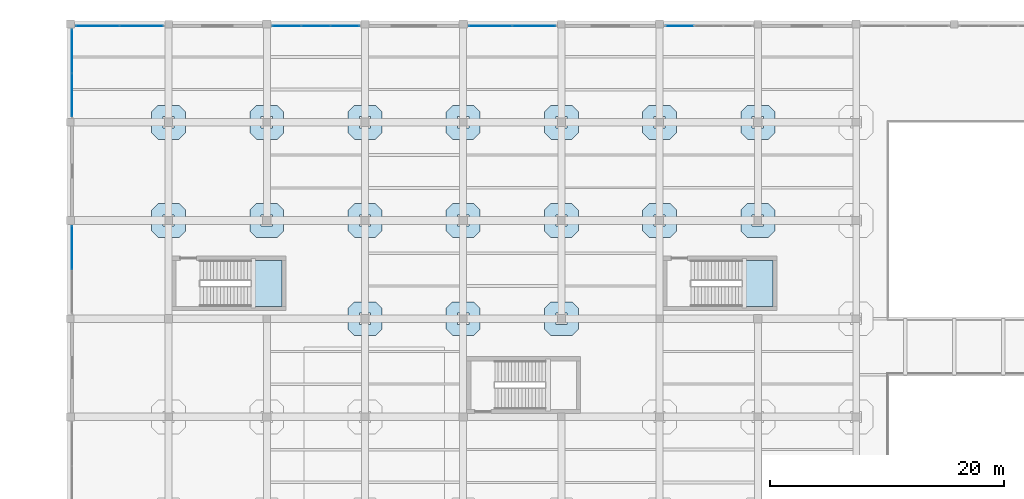
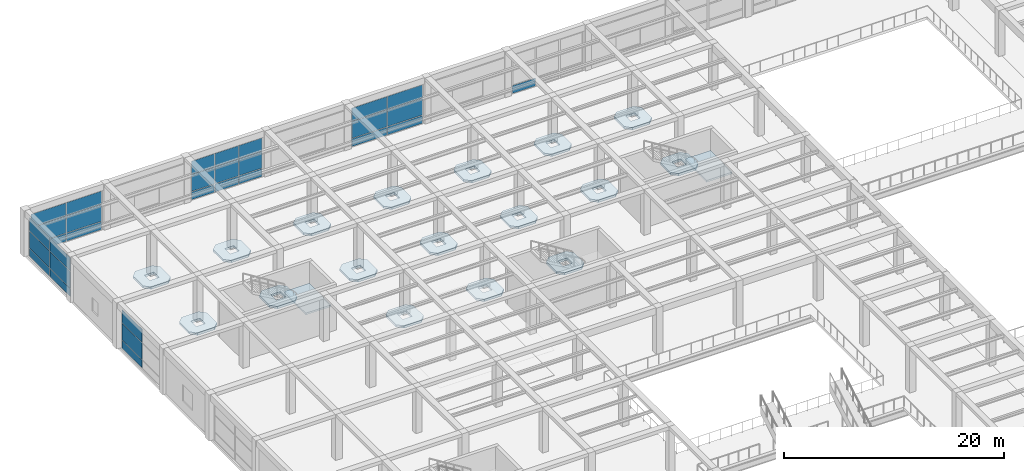
# One storey, part 72 of 95: 31 plates, 19 slabs, 8 elements without a shape of their own.
"""IFC4 building model written with IfcOpenShell, lengths in metres."""

from ifc_helpers import new_model, si_unit, direction, frame, origin, origin_2d, place, context, subcontext, project, spatial, polyline, rectangle, outline, extrude, material, layer, layer_set, type_object, element, aggregate, save


model = new_model("IFC4")

# Units and contexts
model_context = context("Model", 3, precision=1e-05, world=origin(), true_north=direction((0.0, 1.0)))
body_context = subcontext(model_context, "Body", "Model", "MODEL_VIEW")
ifc_project = project(units=[si_unit("LENGTHUNIT", "METRE"), si_unit("AREAUNIT", "SQUARE_METRE"), si_unit("VOLUMEUNIT", "CUBIC_METRE"), si_unit("PLANEANGLEUNIT", "RADIAN"), si_unit("MASSUNIT", "GRAM", prefix="KILO")], contexts=[model_context])

# Site, building, storey
site_placement = place(None, origin())
site = spatial("IfcSite", under=ifc_project, at=site_placement, CompositionType="ELEMENT")
building_placement = place(site_placement, origin())
building = spatial("IfcBuilding", under=site, at=building_placement, Name="Almacenes y Pasaje Nevantli", CompositionType="ELEMENT")
storey_placement = place(building_placement, frame((0.0, 0.0, 11.39990234375)))
storey = spatial("IfcBuildingStorey", under=building, at=storey_placement, Name="L03", CompositionType="ELEMENT", Elevation=11.39990234375)

# Curtain wall, plates
ifc_material_1 = material(Name="Thermally Broken Aluminium and Low-E Glass", Category="aluminium")
curtain_wall_type_1 = type_object("IfcCurtainWallType", Name="CW-STF-BLVD", PredefinedType="USERDEFINED", material=ifc_material_1)
curtain_wall_1_placement = place(storey_placement, origin())
curtain_wall_1 = element("IfcCurtainWall", 1, at=curtain_wall_1_placement, inside=storey, type_object=curtain_wall_type_1, Name="L03 North Boulevard Retail Curtain Wall Bay 1", ObjectType="STOREFRONT GLAZING", PredefinedType="USERDEFINED")
ifc_material_2 = material(Name="Low-E Double Glazed Insulated Unit", Category="glass")
ifc_layer_1 = layer(ifc_material_2, 0.031982421875)
ifc_layer_set_1 = layer_set([ifc_layer_1], Name="Low-E Double Glazed Insulated Unit")
plate_type = type_object("IfcPlateType", Name="PL-IGU-32", PredefinedType="CURTAIN_PANEL", material=ifc_layer_set_1)
plate_1_placement = place(storey_placement, frame((2.340087890625, 117.449951171875, 0.06005859375), z_axis=(0.0, 0.0, 1.0), x_axis=(1.0, 0.0, 0.0)))
plate_1 = element("IfcPlate", 2, at=plate_1_placement, type_object=plate_type, Name="CW-L03-034 panel 1.1", PredefinedType="CURTAIN_PANEL", context=body_context, shape_type="SweptSolid", body=[
    extrude(rectangle(XDim=3.659912109375, YDim=0.031982421875, at=origin_2d()), origin(), (0.0, 0.0, 1.0), 0.860107421875),
])
plate_2_placement = place(storey_placement, frame((2.340087890625, 117.449951171875, 0.97998046875), z_axis=(0.0, 0.0, 1.0), x_axis=(1.0, 0.0, 0.0)))
plate_2 = element("IfcPlate", 3, at=plate_2_placement, type_object=plate_type, Name="CW-L03-034 panel 1.2", PredefinedType="CURTAIN_PANEL", context=body_context, shape_type="SweptSolid", body=[
    extrude(rectangle(XDim=3.659912109375, YDim=0.031982421875, at=origin_2d()), origin(), (0.0, 0.0, 1.0), 1.840087890625),
])
plate_3_placement = place(storey_placement, frame((2.340087890625, 117.449951171875, 2.880126953125), z_axis=(0.0, 0.0, 1.0), x_axis=(1.0, 0.0, 0.0)))
plate_3 = element("IfcPlate", 4, at=plate_3_placement, type_object=plate_type, Name="CW-L03-034 panel 1.3", PredefinedType="CURTAIN_PANEL", context=body_context, shape_type="SweptSolid", body=[
    extrude(rectangle(XDim=3.659912109375, YDim=0.031982421875, at=origin_2d()), origin(), (0.0, 0.0, 1.0), 1.43994140625),
])
plate_4_placement = place(storey_placement, frame((6.06005859375, 117.449951171875, 0.06005859375), z_axis=(0.0, 0.0, 1.0), x_axis=(1.0, 0.0, 0.0)))
plate_4 = element("IfcPlate", 5, at=plate_4_placement, type_object=plate_type, Name="CW-L03-034 panel 2.1", PredefinedType="CURTAIN_PANEL", context=body_context, shape_type="SweptSolid", body=[
    extrude(rectangle(XDim=3.659912109375, YDim=0.031982421875, at=origin_2d()), origin(), (0.0, 0.0, 1.0), 0.860107421875),
])
plate_5_placement = place(storey_placement, frame((6.06005859375, 117.449951171875, 0.97998046875), z_axis=(0.0, 0.0, 1.0), x_axis=(1.0, 0.0, 0.0)))
plate_5 = element("IfcPlate", 6, at=plate_5_placement, type_object=plate_type, Name="CW-L03-034 panel 2.2", PredefinedType="CURTAIN_PANEL", context=body_context, shape_type="SweptSolid", body=[
    extrude(rectangle(XDim=3.659912109375, YDim=0.031982421875, at=origin_2d()), origin(), (0.0, 0.0, 1.0), 1.840087890625),
])
plate_6_placement = place(storey_placement, frame((6.06005859375, 117.449951171875, 2.880126953125), z_axis=(0.0, 0.0, 1.0), x_axis=(1.0, 0.0, 0.0)))
plate_6 = element("IfcPlate", 7, at=plate_6_placement, type_object=plate_type, Name="CW-L03-034 panel 2.3", PredefinedType="CURTAIN_PANEL", context=body_context, shape_type="SweptSolid", body=[
    extrude(rectangle(XDim=3.659912109375, YDim=0.031982421875, at=origin_2d()), origin(), (0.0, 0.0, 1.0), 1.43994140625),
])
aggregate(curtain_wall_1, [plate_1, plate_2, plate_3, plate_4, plate_5, plate_6])

curtain_wall_2_placement = place(storey_placement, origin())
curtain_wall_2 = element("IfcCurtainWall", 8, at=curtain_wall_2_placement, inside=storey, type_object=curtain_wall_type_1, Name="L03 North Boulevard Retail Curtain Wall Bay 3", ObjectType="STOREFRONT GLAZING", PredefinedType="USERDEFINED")
plate_7_placement = place(storey_placement, frame((18.514892578125, 117.449951171875, 0.06005859375), z_axis=(0.0, 0.0, 1.0), x_axis=(1.0, 0.0, 0.0)))
plate_7 = element("IfcPlate", 9, at=plate_7_placement, type_object=plate_type, Name="CW-L03-035 panel 1.1", PredefinedType="CURTAIN_PANEL", context=body_context, shape_type="SweptSolid", body=[
    extrude(rectangle(XDim=2.409912109375, YDim=0.031982421875, at=origin_2d()), origin(), (0.0, 0.0, 1.0), 0.860107421875),
])
plate_8_placement = place(storey_placement, frame((18.514892578125, 117.449951171875, 0.97998046875), z_axis=(0.0, 0.0, 1.0), x_axis=(1.0, 0.0, 0.0)))
plate_8 = element("IfcPlate", 10, at=plate_8_placement, type_object=plate_type, Name="CW-L03-035 panel 1.2", PredefinedType="CURTAIN_PANEL", context=body_context, shape_type="SweptSolid", body=[
    extrude(rectangle(XDim=2.409912109375, YDim=0.031982421875, at=origin_2d()), origin(), (0.0, 0.0, 1.0), 1.840087890625),
])
plate_9_placement = place(storey_placement, frame((18.514892578125, 117.449951171875, 2.880126953125), z_axis=(0.0, 0.0, 1.0), x_axis=(1.0, 0.0, 0.0)))
plate_9 = element("IfcPlate", 11, at=plate_9_placement, type_object=plate_type, Name="CW-L03-035 panel 1.3", PredefinedType="CURTAIN_PANEL", context=body_context, shape_type="SweptSolid", body=[
    extrude(rectangle(XDim=2.409912109375, YDim=0.031982421875, at=origin_2d()), origin(), (0.0, 0.0, 1.0), 1.43994140625),
])
plate_10_placement = place(storey_placement, frame((21.0, 117.449951171875, 0.06005859375), z_axis=(0.0, 0.0, 1.0), x_axis=(1.0, 0.0, 0.0)))
plate_10 = element("IfcPlate", 12, at=plate_10_placement, type_object=plate_type, Name="CW-L03-035 panel 2.1", PredefinedType="CURTAIN_PANEL", context=body_context, shape_type="SweptSolid", body=[
    extrude(rectangle(XDim=2.43994140625, YDim=0.031982421875, at=origin_2d()), origin(), (0.0, 0.0, 1.0), 0.860107421875),
])
plate_11_placement = place(storey_placement, frame((21.0, 117.449951171875, 0.97998046875), z_axis=(0.0, 0.0, 1.0), x_axis=(1.0, 0.0, 0.0)))
plate_11 = element("IfcPlate", 13, at=plate_11_placement, type_object=plate_type, Name="CW-L03-035 panel 2.2", PredefinedType="CURTAIN_PANEL", context=body_context, shape_type="SweptSolid", body=[
    extrude(rectangle(XDim=2.43994140625, YDim=0.031982421875, at=origin_2d()), origin(), (0.0, 0.0, 1.0), 1.840087890625),
])
plate_12_placement = place(storey_placement, frame((21.0, 117.449951171875, 2.880126953125), z_axis=(0.0, 0.0, 1.0), x_axis=(1.0, 0.0, 0.0)))
plate_12 = element("IfcPlate", 14, at=plate_12_placement, type_object=plate_type, Name="CW-L03-035 panel 2.3", PredefinedType="CURTAIN_PANEL", context=body_context, shape_type="SweptSolid", body=[
    extrude(rectangle(XDim=2.43994140625, YDim=0.031982421875, at=origin_2d()), origin(), (0.0, 0.0, 1.0), 1.43994140625),
])
plate_13_placement = place(storey_placement, frame((23.485107421875, 117.449951171875, 0.06005859375), z_axis=(0.0, 0.0, 1.0), x_axis=(1.0, 0.0, 0.0)))
plate_13 = element("IfcPlate", 15, at=plate_13_placement, type_object=plate_type, Name="CW-L03-035 panel 3.1", PredefinedType="CURTAIN_PANEL", context=body_context, shape_type="SweptSolid", body=[
    extrude(rectangle(XDim=2.409912109375, YDim=0.031982421875, at=origin_2d()), origin(), (0.0, 0.0, 1.0), 0.860107421875),
])
plate_14_placement = place(storey_placement, frame((23.485107421875, 117.449951171875, 0.97998046875), z_axis=(0.0, 0.0, 1.0), x_axis=(1.0, 0.0, 0.0)))
plate_14 = element("IfcPlate", 16, at=plate_14_placement, type_object=plate_type, Name="CW-L03-035 panel 3.2", PredefinedType="CURTAIN_PANEL", context=body_context, shape_type="SweptSolid", body=[
    extrude(rectangle(XDim=2.409912109375, YDim=0.031982421875, at=origin_2d()), origin(), (0.0, 0.0, 1.0), 1.840087890625),
])
plate_15_placement = place(storey_placement, frame((23.485107421875, 117.449951171875, 2.880126953125), z_axis=(0.0, 0.0, 1.0), x_axis=(1.0, 0.0, 0.0)))
plate_15 = element("IfcPlate", 17, at=plate_15_placement, type_object=plate_type, Name="CW-L03-035 panel 3.3", PredefinedType="CURTAIN_PANEL", context=body_context, shape_type="SweptSolid", body=[
    extrude(rectangle(XDim=2.409912109375, YDim=0.031982421875, at=origin_2d()), origin(), (0.0, 0.0, 1.0), 1.43994140625),
])
aggregate(curtain_wall_2, [plate_7, plate_8, plate_9, plate_10, plate_11, plate_12, plate_13, plate_14, plate_15])

curtain_wall_3_placement = place(storey_placement, origin())
curtain_wall_3 = element("IfcCurtainWall", 18, at=curtain_wall_3_placement, inside=storey, type_object=curtain_wall_type_1, Name="L03 North Boulevard Retail Curtain Wall Bay 5", ObjectType="STOREFRONT GLAZING", PredefinedType="USERDEFINED")
plate_16_placement = place(storey_placement, frame((35.93994140625, 117.449951171875, 0.06005859375), z_axis=(0.0, 0.0, 1.0), x_axis=(1.0, 0.0, 0.0)))
plate_16 = element("IfcPlate", 19, at=plate_16_placement, type_object=plate_type, Name="CW-L03-036 panel 1.1", PredefinedType="CURTAIN_PANEL", context=body_context, shape_type="SweptSolid", body=[
    extrude(rectangle(XDim=3.659912109375, YDim=0.031982421875, at=origin_2d()), origin(), (0.0, 0.0, 1.0), 0.860107421875),
])
plate_17_placement = place(storey_placement, frame((35.93994140625, 117.449951171875, 0.97998046875), z_axis=(0.0, 0.0, 1.0), x_axis=(1.0, 0.0, 0.0)))
plate_17 = element("IfcPlate", 20, at=plate_17_placement, type_object=plate_type, Name="CW-L03-036 panel 1.2", PredefinedType="CURTAIN_PANEL", context=body_context, shape_type="SweptSolid", body=[
    extrude(rectangle(XDim=3.659912109375, YDim=0.031982421875, at=origin_2d()), origin(), (0.0, 0.0, 1.0), 1.840087890625),
])
plate_18_placement = place(storey_placement, frame((35.93994140625, 117.449951171875, 2.880126953125), z_axis=(0.0, 0.0, 1.0), x_axis=(1.0, 0.0, 0.0)))
plate_18 = element("IfcPlate", 21, at=plate_18_placement, type_object=plate_type, Name="CW-L03-036 panel 1.3", PredefinedType="CURTAIN_PANEL", context=body_context, shape_type="SweptSolid", body=[
    extrude(rectangle(XDim=3.659912109375, YDim=0.031982421875, at=origin_2d()), origin(), (0.0, 0.0, 1.0), 1.43994140625),
])
plate_19_placement = place(storey_placement, frame((39.659912109375, 117.449951171875, 0.06005859375), z_axis=(0.0, 0.0, 1.0), x_axis=(1.0, 0.0, 0.0)))
plate_19 = element("IfcPlate", 22, at=plate_19_placement, type_object=plate_type, Name="CW-L03-036 panel 2.1", PredefinedType="CURTAIN_PANEL", context=body_context, shape_type="SweptSolid", body=[
    extrude(rectangle(XDim=3.659912109375, YDim=0.031982421875, at=origin_2d()), origin(), (0.0, 0.0, 1.0), 0.860107421875),
])
plate_20_placement = place(storey_placement, frame((39.659912109375, 117.449951171875, 0.97998046875), z_axis=(0.0, 0.0, 1.0), x_axis=(1.0, 0.0, 0.0)))
plate_20 = element("IfcPlate", 23, at=plate_20_placement, type_object=plate_type, Name="CW-L03-036 panel 2.2", PredefinedType="CURTAIN_PANEL", context=body_context, shape_type="SweptSolid", body=[
    extrude(rectangle(XDim=3.659912109375, YDim=0.031982421875, at=origin_2d()), origin(), (0.0, 0.0, 1.0), 1.840087890625),
])
plate_21_placement = place(storey_placement, frame((39.659912109375, 117.449951171875, 2.880126953125), z_axis=(0.0, 0.0, 1.0), x_axis=(1.0, 0.0, 0.0)))
plate_21 = element("IfcPlate", 24, at=plate_21_placement, type_object=plate_type, Name="CW-L03-036 panel 2.3", PredefinedType="CURTAIN_PANEL", context=body_context, shape_type="SweptSolid", body=[
    extrude(rectangle(XDim=3.659912109375, YDim=0.031982421875, at=origin_2d()), origin(), (0.0, 0.0, 1.0), 1.43994140625),
])
aggregate(curtain_wall_3, [plate_16, plate_17, plate_18, plate_19, plate_20, plate_21])

# Curtain wall, plate
curtain_wall_4_placement = place(storey_placement, origin())
curtain_wall_4 = element("IfcCurtainWall", 25, at=curtain_wall_4_placement, inside=storey, type_object=curtain_wall_type_1, Name="L03 North Boulevard Retail Curtain Wall Bay 7", ObjectType="STOREFRONT GLAZING", PredefinedType="USERDEFINED")
plate_22_placement = place(storey_placement, frame((52.114990234375, 117.449951171875, 0.06005859375), z_axis=(0.0, 0.0, 1.0), x_axis=(1.0, 0.0, 0.0)))
plate_22 = element("IfcPlate", 26, at=plate_22_placement, type_object=plate_type, Name="CW-L03-037 panel 1.1", PredefinedType="CURTAIN_PANEL", context=body_context, shape_type="SweptSolid", body=[
    extrude(rectangle(XDim=2.409912109375, YDim=0.031982421875, at=origin_2d()), origin(), (0.0, 0.0, 1.0), 0.860107421875),
])
aggregate(curtain_wall_4, [plate_22])

# Curtain wall, plates
ifc_material_3 = material(Name="Thermally Broken Aluminium and Low-E Glass", Category="aluminium")
curtain_wall_type_2 = type_object("IfcCurtainWallType", Name="CW-UNIT-PODIUM", PredefinedType="USERDEFINED", material=ifc_material_3)
curtain_wall_5_placement = place(storey_placement, origin())
curtain_wall_5 = element("IfcCurtainWall", 27, at=curtain_wall_5_placement, inside=storey, type_object=curtain_wall_type_2, Name="L03 West Avenue Unitized Curtain Wall Bay 12", ObjectType="UNITIZED CURTAIN WALL", PredefinedType="USERDEFINED")
plate_23_placement = place(storey_placement, frame((0.14990234375, 98.461181640625, 0.05517578125), z_axis=(0.0, 0.0, 1.0), x_axis=(0.0, 1.0, 0.0)))
plate_23 = element("IfcPlate", 28, at=plate_23_placement, type_object=plate_type, Name="CW-L03-052 panel 2.1", PredefinedType="CURTAIN_PANEL", context=body_context, shape_type="SweptSolid", body=[
    extrude(rectangle(XDim=3.66748046875, YDim=0.031982421875, at=origin_2d()), origin(), (0.0, 0.0, 1.0), 0.867431640625),
])
plate_24_placement = place(storey_placement, frame((0.14990234375, 98.461181640625, 0.9775390625), z_axis=(0.0, 0.0, 1.0), x_axis=(0.0, 1.0, 0.0)))
plate_24 = element("IfcPlate", 29, at=plate_24_placement, type_object=plate_type, Name="CW-L03-052 panel 2.2", PredefinedType="CURTAIN_PANEL", context=body_context, shape_type="SweptSolid", body=[
    extrude(rectangle(XDim=3.66748046875, YDim=0.031982421875, at=origin_2d()), origin(), (0.0, 0.0, 1.0), 1.844970703125),
])
plate_25_placement = place(storey_placement, frame((0.14990234375, 98.461181640625, 2.87744140625), z_axis=(0.0, 0.0, 1.0), x_axis=(0.0, 1.0, 0.0)))
plate_25 = element("IfcPlate", 30, at=plate_25_placement, type_object=plate_type, Name="CW-L03-052 panel 2.3", PredefinedType="CURTAIN_PANEL", context=body_context, shape_type="SweptSolid", body=[
    extrude(rectangle(XDim=3.66748046875, YDim=0.031982421875, at=origin_2d()), origin(), (0.0, 0.0, 1.0), 1.447509765625),
])
aggregate(curtain_wall_5, [plate_23, plate_24, plate_25])

curtain_wall_6_placement = place(storey_placement, origin())
curtain_wall_6 = element("IfcCurtainWall", 31, at=curtain_wall_6_placement, inside=storey, type_object=curtain_wall_type_2, Name="L03 West Avenue Unitized Curtain Wall Bay 14", ObjectType="UNITIZED CURTAIN WALL", PredefinedType="USERDEFINED")
plate_26_placement = place(storey_placement, frame((0.14990234375, 111.538818359375, 0.05517578125), z_axis=(0.0, 0.0, 1.0), x_axis=(0.0, 1.0, 0.0)))
plate_26 = element("IfcPlate", 32, at=plate_26_placement, type_object=plate_type, Name="CW-L03-053 panel 1.1", PredefinedType="CURTAIN_PANEL", context=body_context, shape_type="SweptSolid", body=[
    extrude(rectangle(XDim=3.66748046875, YDim=0.031982421875, at=origin_2d()), origin(), (0.0, 0.0, 1.0), 0.867431640625),
])
plate_27_placement = place(storey_placement, frame((0.14990234375, 111.538818359375, 0.9775390625), z_axis=(0.0, 0.0, 1.0), x_axis=(0.0, 1.0, 0.0)))
plate_27 = element("IfcPlate", 33, at=plate_27_placement, type_object=plate_type, Name="CW-L03-053 panel 1.2", PredefinedType="CURTAIN_PANEL", context=body_context, shape_type="SweptSolid", body=[
    extrude(rectangle(XDim=3.66748046875, YDim=0.031982421875, at=origin_2d()), origin(), (0.0, 0.0, 1.0), 1.844970703125),
])
plate_28_placement = place(storey_placement, frame((0.14990234375, 111.538818359375, 2.87744140625), z_axis=(0.0, 0.0, 1.0), x_axis=(0.0, 1.0, 0.0)))
plate_28 = element("IfcPlate", 34, at=plate_28_placement, type_object=plate_type, Name="CW-L03-053 panel 1.3", PredefinedType="CURTAIN_PANEL", context=body_context, shape_type="SweptSolid", body=[
    extrude(rectangle(XDim=3.66748046875, YDim=0.031982421875, at=origin_2d()), origin(), (0.0, 0.0, 1.0), 1.447509765625),
])
plate_29_placement = place(storey_placement, frame((0.14990234375, 115.26123046875, 0.05517578125), z_axis=(0.0, 0.0, 1.0), x_axis=(0.0, 1.0, 0.0)))
plate_29 = element("IfcPlate", 35, at=plate_29_placement, type_object=plate_type, Name="CW-L03-053 panel 2.1", PredefinedType="CURTAIN_PANEL", context=body_context, shape_type="SweptSolid", body=[
    extrude(rectangle(XDim=3.66748046875, YDim=0.031982421875, at=origin_2d()), origin(), (0.0, 0.0, 1.0), 0.867431640625),
])
plate_30_placement = place(storey_placement, frame((0.14990234375, 115.26123046875, 0.9775390625), z_axis=(0.0, 0.0, 1.0), x_axis=(0.0, 1.0, 0.0)))
plate_30 = element("IfcPlate", 36, at=plate_30_placement, type_object=plate_type, Name="CW-L03-053 panel 2.2", PredefinedType="CURTAIN_PANEL", context=body_context, shape_type="SweptSolid", body=[
    extrude(rectangle(XDim=3.66748046875, YDim=0.031982421875, at=origin_2d()), origin(), (0.0, 0.0, 1.0), 1.844970703125),
])
plate_31_placement = place(storey_placement, frame((0.14990234375, 115.26123046875, 2.87744140625), z_axis=(0.0, 0.0, 1.0), x_axis=(0.0, 1.0, 0.0)))
plate_31 = element("IfcPlate", 37, at=plate_31_placement, type_object=plate_type, Name="CW-L03-053 panel 2.3", PredefinedType="CURTAIN_PANEL", context=body_context, shape_type="SweptSolid", body=[
    extrude(rectangle(XDim=3.66748046875, YDim=0.031982421875, at=origin_2d()), origin(), (0.0, 0.0, 1.0), 1.447509765625),
])
aggregate(curtain_wall_6, [plate_26, plate_27, plate_28, plate_29, plate_30, plate_31])

# Slabs
ifc_material_4 = material(Name="Concrete C35/45", Category="concrete")
ifc_layer_2 = layer(ifc_material_4, 0.25)
ifc_layer_set_2 = layer_set([ifc_layer_2], Name="Concrete C35/45")
slab_type_1 = type_object("IfcSlabType", Name="SLB-DP-250", PredefinedType="USERDEFINED", material=ifc_layer_set_2)
slab_1_placement = place(storey_placement, frame((0.0, 0.0, -0.5498046875)))
element("IfcSlab", 38, at=slab_1_placement, inside=storey, type_object=slab_type_1, Name="L03 Punching-Shear Drop Panel DP-02 #582", ObjectType="DROP PANEL", PredefinedType="USERDEFINED", context=body_context, shape_type="SweptSolid", body=[
    extrude(outline(polyline([(7.5, 99.35009765625), (9.300048828125, 99.35009765625), (9.85009765625, 99.89990234375), (9.85009765625, 101.699951171875), (9.300048828125, 102.25), (7.5, 102.25), (6.949951171875, 101.699951171875), (6.949951171875, 99.89990234375), (7.5, 99.35009765625)]), holes=[polyline([(7.919921875, 100.320068359375), (8.8798828125, 100.320068359375), (8.8798828125, 101.280029296875), (7.919921875, 101.280029296875), (7.919921875, 100.320068359375)])]), origin(), (0.0, 0.0, 1.0), 0.25),
])
slab_2_placement = place(storey_placement, frame((0.0, 0.0, -0.5498046875)))
element("IfcSlab", 39, at=slab_2_placement, inside=storey, type_object=slab_type_1, Name="L03 Punching-Shear Drop Panel DP-02 #583", ObjectType="DROP PANEL", PredefinedType="USERDEFINED", context=body_context, shape_type="SweptSolid", body=[
    extrude(outline(polyline([(7.5, 107.75), (9.300048828125, 107.75), (9.85009765625, 108.300048828125), (9.85009765625, 110.10009765625), (9.300048828125, 110.64990234375), (7.5, 110.64990234375), (6.949951171875, 110.10009765625), (6.949951171875, 108.300048828125), (7.5, 107.75)]), holes=[polyline([(7.919921875, 108.719970703125), (8.8798828125, 108.719970703125), (8.8798828125, 109.679931640625), (7.919921875, 109.679931640625), (7.919921875, 108.719970703125)])]), origin(), (0.0, 0.0, 1.0), 0.25),
])
slab_3_placement = place(storey_placement, frame((0.0, 0.0, -0.5498046875)))
element("IfcSlab", 40, at=slab_3_placement, inside=storey, type_object=slab_type_1, Name="L03 Punching-Shear Drop Panel DP-02 #590", ObjectType="DROP PANEL", PredefinedType="USERDEFINED", context=body_context, shape_type="SweptSolid", body=[
    extrude(outline(polyline([(15.89990234375, 99.35009765625), (17.699951171875, 99.35009765625), (18.25, 99.89990234375), (18.25, 101.699951171875), (17.699951171875, 102.25), (15.89990234375, 102.25), (15.35009765625, 101.699951171875), (15.35009765625, 99.89990234375), (15.89990234375, 99.35009765625)]), holes=[polyline([(16.320068359375, 100.320068359375), (17.280029296875, 100.320068359375), (17.280029296875, 101.280029296875), (16.320068359375, 101.280029296875), (16.320068359375, 100.320068359375)])]), origin(), (0.0, 0.0, 1.0), 0.25),
])
slab_4_placement = place(storey_placement, frame((0.0, 0.0, -0.5498046875)))
element("IfcSlab", 41, at=slab_4_placement, inside=storey, type_object=slab_type_1, Name="L03 Punching-Shear Drop Panel DP-02 #591", ObjectType="DROP PANEL", PredefinedType="USERDEFINED", context=body_context, shape_type="SweptSolid", body=[
    extrude(outline(polyline([(15.89990234375, 107.75), (17.699951171875, 107.75), (18.25, 108.300048828125), (18.25, 110.10009765625), (17.699951171875, 110.64990234375), (15.89990234375, 110.64990234375), (15.35009765625, 110.10009765625), (15.35009765625, 108.300048828125), (15.89990234375, 107.75)]), holes=[polyline([(16.320068359375, 108.719970703125), (17.280029296875, 108.719970703125), (17.280029296875, 109.679931640625), (16.320068359375, 109.679931640625), (16.320068359375, 108.719970703125)])]), origin(), (0.0, 0.0, 1.0), 0.25),
])
slab_5_placement = place(storey_placement, frame((0.0, 0.0, -0.5498046875)))
element("IfcSlab", 42, at=slab_5_placement, inside=storey, type_object=slab_type_1, Name="L03 Punching-Shear Drop Panel DP-02 #600", ObjectType="DROP PANEL", PredefinedType="USERDEFINED", context=body_context, shape_type="SweptSolid", body=[
    extrude(outline(polyline([(24.300048828125, 90.949951171875), (26.10009765625, 90.949951171875), (26.64990234375, 91.5), (26.64990234375, 93.300048828125), (26.10009765625, 93.85009765625), (24.300048828125, 93.85009765625), (23.75, 93.300048828125), (23.75, 91.5), (24.300048828125, 90.949951171875)]), holes=[polyline([(24.719970703125, 91.919921875), (25.679931640625, 91.919921875), (25.679931640625, 92.8798828125), (24.719970703125, 92.8798828125), (24.719970703125, 91.919921875)])]), origin(), (0.0, 0.0, 1.0), 0.25),
])
slab_6_placement = place(storey_placement, frame((0.0, 0.0, -0.5498046875)))
element("IfcSlab", 43, at=slab_6_placement, inside=storey, type_object=slab_type_1, Name="L03 Punching-Shear Drop Panel DP-02 #601", ObjectType="DROP PANEL", PredefinedType="USERDEFINED", context=body_context, shape_type="SweptSolid", body=[
    extrude(outline(polyline([(24.300048828125, 99.35009765625), (26.10009765625, 99.35009765625), (26.64990234375, 99.89990234375), (26.64990234375, 101.699951171875), (26.10009765625, 102.25), (24.300048828125, 102.25), (23.75, 101.699951171875), (23.75, 99.89990234375), (24.300048828125, 99.35009765625)]), holes=[polyline([(24.719970703125, 100.320068359375), (25.679931640625, 100.320068359375), (25.679931640625, 101.280029296875), (24.719970703125, 101.280029296875), (24.719970703125, 100.320068359375)])]), origin(), (0.0, 0.0, 1.0), 0.25),
])
slab_7_placement = place(storey_placement, frame((0.0, 0.0, -0.5498046875)))
element("IfcSlab", 44, at=slab_7_placement, inside=storey, type_object=slab_type_1, Name="L03 Punching-Shear Drop Panel DP-02 #602", ObjectType="DROP PANEL", PredefinedType="USERDEFINED", context=body_context, shape_type="SweptSolid", body=[
    extrude(outline(polyline([(24.300048828125, 107.75), (26.10009765625, 107.75), (26.64990234375, 108.300048828125), (26.64990234375, 110.10009765625), (26.10009765625, 110.64990234375), (24.300048828125, 110.64990234375), (23.75, 110.10009765625), (23.75, 108.300048828125), (24.300048828125, 107.75)]), holes=[polyline([(24.719970703125, 108.719970703125), (25.679931640625, 108.719970703125), (25.679931640625, 109.679931640625), (24.719970703125, 109.679931640625), (24.719970703125, 108.719970703125)])]), origin(), (0.0, 0.0, 1.0), 0.25),
])
slab_8_placement = place(storey_placement, frame((0.0, 0.0, -0.5498046875)))
element("IfcSlab", 45, at=slab_8_placement, inside=storey, type_object=slab_type_1, Name="L03 Punching-Shear Drop Panel DP-02 #611", ObjectType="DROP PANEL", PredefinedType="USERDEFINED", context=body_context, shape_type="SweptSolid", body=[
    extrude(outline(polyline([(32.699951171875, 90.949951171875), (34.5, 90.949951171875), (35.050048828125, 91.5), (35.050048828125, 93.300048828125), (34.5, 93.85009765625), (32.699951171875, 93.85009765625), (32.14990234375, 93.300048828125), (32.14990234375, 91.5), (32.699951171875, 90.949951171875)]), holes=[polyline([(33.1201171875, 91.919921875), (34.080078125, 91.919921875), (34.080078125, 92.8798828125), (33.1201171875, 92.8798828125), (33.1201171875, 91.919921875)])]), origin(), (0.0, 0.0, 1.0), 0.25),
])
slab_9_placement = place(storey_placement, frame((0.0, 0.0, -0.5498046875)))
element("IfcSlab", 46, at=slab_9_placement, inside=storey, type_object=slab_type_1, Name="L03 Punching-Shear Drop Panel DP-02 #612", ObjectType="DROP PANEL", PredefinedType="USERDEFINED", context=body_context, shape_type="SweptSolid", body=[
    extrude(outline(polyline([(32.699951171875, 99.35009765625), (34.5, 99.35009765625), (35.050048828125, 99.89990234375), (35.050048828125, 101.699951171875), (34.5, 102.25), (32.699951171875, 102.25), (32.14990234375, 101.699951171875), (32.14990234375, 99.89990234375), (32.699951171875, 99.35009765625)]), holes=[polyline([(33.1201171875, 100.320068359375), (34.080078125, 100.320068359375), (34.080078125, 101.280029296875), (33.1201171875, 101.280029296875), (33.1201171875, 100.320068359375)])]), origin(), (0.0, 0.0, 1.0), 0.25),
])
slab_10_placement = place(storey_placement, frame((0.0, 0.0, -0.5498046875)))
element("IfcSlab", 47, at=slab_10_placement, inside=storey, type_object=slab_type_1, Name="L03 Punching-Shear Drop Panel DP-02 #613", ObjectType="DROP PANEL", PredefinedType="USERDEFINED", context=body_context, shape_type="SweptSolid", body=[
    extrude(outline(polyline([(32.699951171875, 107.75), (34.5, 107.75), (35.050048828125, 108.300048828125), (35.050048828125, 110.10009765625), (34.5, 110.64990234375), (32.699951171875, 110.64990234375), (32.14990234375, 110.10009765625), (32.14990234375, 108.300048828125), (32.699951171875, 107.75)]), holes=[polyline([(33.1201171875, 108.719970703125), (34.080078125, 108.719970703125), (34.080078125, 109.679931640625), (33.1201171875, 109.679931640625), (33.1201171875, 108.719970703125)])]), origin(), (0.0, 0.0, 1.0), 0.25),
])
slab_11_placement = place(storey_placement, frame((0.0, 0.0, -0.5498046875)))
element("IfcSlab", 48, at=slab_11_placement, inside=storey, type_object=slab_type_1, Name="L03 Punching-Shear Drop Panel DP-02 #619", ObjectType="DROP PANEL", PredefinedType="USERDEFINED", context=body_context, shape_type="SweptSolid", body=[
    extrude(outline(polyline([(41.10009765625, 90.949951171875), (42.89990234375, 90.949951171875), (43.449951171875, 91.5), (43.449951171875, 93.300048828125), (42.89990234375, 93.85009765625), (41.10009765625, 93.85009765625), (40.550048828125, 93.300048828125), (40.550048828125, 91.5), (41.10009765625, 90.949951171875)]), holes=[polyline([(41.52001953125, 91.919921875), (42.47998046875, 91.919921875), (42.47998046875, 92.8798828125), (41.52001953125, 92.8798828125), (41.52001953125, 91.919921875)])]), origin(), (0.0, 0.0, 1.0), 0.25),
])
slab_12_placement = place(storey_placement, frame((0.0, 0.0, -0.5498046875)))
element("IfcSlab", 49, at=slab_12_placement, inside=storey, type_object=slab_type_1, Name="L03 Punching-Shear Drop Panel DP-02 #620", ObjectType="DROP PANEL", PredefinedType="USERDEFINED", context=body_context, shape_type="SweptSolid", body=[
    extrude(outline(polyline([(41.10009765625, 99.35009765625), (42.89990234375, 99.35009765625), (43.449951171875, 99.89990234375), (43.449951171875, 101.699951171875), (42.89990234375, 102.25), (41.10009765625, 102.25), (40.550048828125, 101.699951171875), (40.550048828125, 99.89990234375), (41.10009765625, 99.35009765625)]), holes=[polyline([(41.52001953125, 100.320068359375), (42.47998046875, 100.320068359375), (42.47998046875, 101.280029296875), (41.52001953125, 101.280029296875), (41.52001953125, 100.320068359375)])]), origin(), (0.0, 0.0, 1.0), 0.25),
])
slab_13_placement = place(storey_placement, frame((0.0, 0.0, -0.5498046875)))
element("IfcSlab", 50, at=slab_13_placement, inside=storey, type_object=slab_type_1, Name="L03 Punching-Shear Drop Panel DP-02 #621", ObjectType="DROP PANEL", PredefinedType="USERDEFINED", context=body_context, shape_type="SweptSolid", body=[
    extrude(outline(polyline([(41.10009765625, 107.75), (42.89990234375, 107.75), (43.449951171875, 108.300048828125), (43.449951171875, 110.10009765625), (42.89990234375, 110.64990234375), (41.10009765625, 110.64990234375), (40.550048828125, 110.10009765625), (40.550048828125, 108.300048828125), (41.10009765625, 107.75)]), holes=[polyline([(41.52001953125, 108.719970703125), (42.47998046875, 108.719970703125), (42.47998046875, 109.679931640625), (41.52001953125, 109.679931640625), (41.52001953125, 108.719970703125)])]), origin(), (0.0, 0.0, 1.0), 0.25),
])
slab_14_placement = place(storey_placement, frame((0.0, 0.0, -0.5498046875)))
element("IfcSlab", 51, at=slab_14_placement, inside=storey, type_object=slab_type_1, Name="L03 Punching-Shear Drop Panel DP-02 #628", ObjectType="DROP PANEL", PredefinedType="USERDEFINED", context=body_context, shape_type="SweptSolid", body=[
    extrude(outline(polyline([(49.5, 99.35009765625), (51.300048828125, 99.35009765625), (51.85009765625, 99.89990234375), (51.85009765625, 101.699951171875), (51.300048828125, 102.25), (49.5, 102.25), (48.949951171875, 101.699951171875), (48.949951171875, 99.89990234375), (49.5, 99.35009765625)]), holes=[polyline([(49.919921875, 100.320068359375), (50.8798828125, 100.320068359375), (50.8798828125, 101.280029296875), (49.919921875, 101.280029296875), (49.919921875, 100.320068359375)])]), origin(), (0.0, 0.0, 1.0), 0.25),
])
slab_15_placement = place(storey_placement, frame((0.0, 0.0, -0.5498046875)))
element("IfcSlab", 52, at=slab_15_placement, inside=storey, type_object=slab_type_1, Name="L03 Punching-Shear Drop Panel DP-02 #629", ObjectType="DROP PANEL", PredefinedType="USERDEFINED", context=body_context, shape_type="SweptSolid", body=[
    extrude(outline(polyline([(49.5, 107.75), (51.300048828125, 107.75), (51.85009765625, 108.300048828125), (51.85009765625, 110.10009765625), (51.300048828125, 110.64990234375), (49.5, 110.64990234375), (48.949951171875, 110.10009765625), (48.949951171875, 108.300048828125), (49.5, 107.75)]), holes=[polyline([(49.919921875, 108.719970703125), (50.8798828125, 108.719970703125), (50.8798828125, 109.679931640625), (49.919921875, 109.679931640625), (49.919921875, 108.719970703125)])]), origin(), (0.0, 0.0, 1.0), 0.25),
])
slab_16_placement = place(storey_placement, frame((0.0, 0.0, -0.5498046875)))
element("IfcSlab", 53, at=slab_16_placement, inside=storey, type_object=slab_type_1, Name="L03 Punching-Shear Drop Panel DP-02 #640", ObjectType="DROP PANEL", PredefinedType="USERDEFINED", context=body_context, shape_type="SweptSolid", body=[
    extrude(outline(polyline([(57.89990234375, 99.35009765625), (59.699951171875, 99.35009765625), (60.25, 99.89990234375), (60.25, 101.699951171875), (59.699951171875, 102.25), (57.89990234375, 102.25), (57.35009765625, 101.699951171875), (57.35009765625, 99.89990234375), (57.89990234375, 99.35009765625)]), holes=[polyline([(58.320068359375, 100.320068359375), (59.280029296875, 100.320068359375), (59.280029296875, 101.280029296875), (58.320068359375, 101.280029296875), (58.320068359375, 100.320068359375)])]), origin(), (0.0, 0.0, 1.0), 0.25),
])
slab_17_placement = place(storey_placement, frame((0.0, 0.0, -0.5498046875)))
element("IfcSlab", 54, at=slab_17_placement, inside=storey, type_object=slab_type_1, Name="L03 Punching-Shear Drop Panel DP-02 #641", ObjectType="DROP PANEL", PredefinedType="USERDEFINED", context=body_context, shape_type="SweptSolid", body=[
    extrude(outline(polyline([(57.89990234375, 107.75), (59.699951171875, 107.75), (60.25, 108.300048828125), (60.25, 110.10009765625), (59.699951171875, 110.64990234375), (57.89990234375, 110.64990234375), (57.35009765625, 110.10009765625), (57.35009765625, 108.300048828125), (57.89990234375, 107.75)]), holes=[polyline([(58.320068359375, 108.719970703125), (59.280029296875, 108.719970703125), (59.280029296875, 109.679931640625), (58.320068359375, 109.679931640625), (58.320068359375, 108.719970703125)])]), origin(), (0.0, 0.0, 1.0), 0.25),
])

# Stair, slab
ifc_material_5 = material(Name="Concrete C35/45", Category="concrete")
stair_type = type_object("IfcStairType", Name="STR-CORE-1750", PredefinedType="HALF_TURN_STAIR", material=ifc_material_5)
stair_1_placement = place(storey_placement, origin())
stair_1 = element("IfcStair", 55, at=stair_1_placement, inside=storey, type_object=stair_type, Name="L03 Staircase ST-03", PredefinedType="HALF_TURN_STAIR")
ifc_material_6 = material(Name="Concrete C35/45", Category="concrete")
ifc_layer_3 = layer(ifc_material_6, 0.199951171875)
ifc_layer_set_3 = layer_set([ifc_layer_3], Name="Concrete C35/45")
slab_type_2 = type_object("IfcSlabType", Name="SLB-LAND-200", PredefinedType="LANDING", material=ifc_layer_set_3)
slab_18_placement = place(storey_placement, frame((0.0, 0.0, 2.5)))
slab_18 = element("IfcSlab", 56, at=slab_18_placement, type_object=slab_type_2, Name="ST-03-L03 landing 1", PredefinedType="LANDING", context=body_context, shape_type="SweptSolid", body=[
    extrude(outline(polyline([(15.43505859375, 93.449951171875), (18.10009765625, 93.449951171875), (18.10009765625, 97.39990234375), (15.43505859375, 97.39990234375), (15.43505859375, 93.449951171875)])), origin(), (0.0, 0.0, 1.0), 0.2001953125),
])
aggregate(stair_1, [slab_18])

stair_2_placement = place(storey_placement, origin())
stair_2 = element("IfcStair", 57, at=stair_2_placement, inside=storey, type_object=stair_type, Name="L03 Staircase ST-05", PredefinedType="HALF_TURN_STAIR")
slab_19_placement = place(storey_placement, frame((0.0, 0.0, 2.5)))
slab_19 = element("IfcSlab", 58, at=slab_19_placement, type_object=slab_type_2, Name="ST-05-L03 landing 1", PredefinedType="LANDING", context=body_context, shape_type="SweptSolid", body=[
    extrude(outline(polyline([(57.43505859375, 93.449951171875), (60.10009765625, 93.449951171875), (60.10009765625, 97.39990234375), (57.43505859375, 97.39990234375), (57.43505859375, 93.449951171875)])), origin(), (0.0, 0.0, 1.0), 0.2001953125),
])
aggregate(stair_2, [slab_19])

save(model, "model.ifc")
